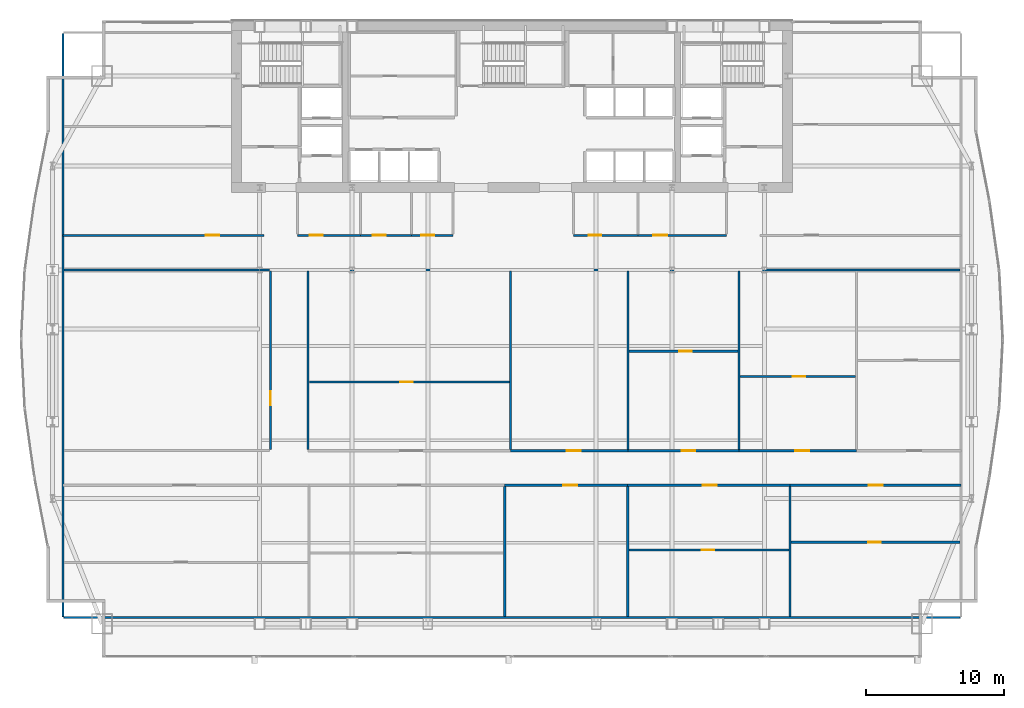
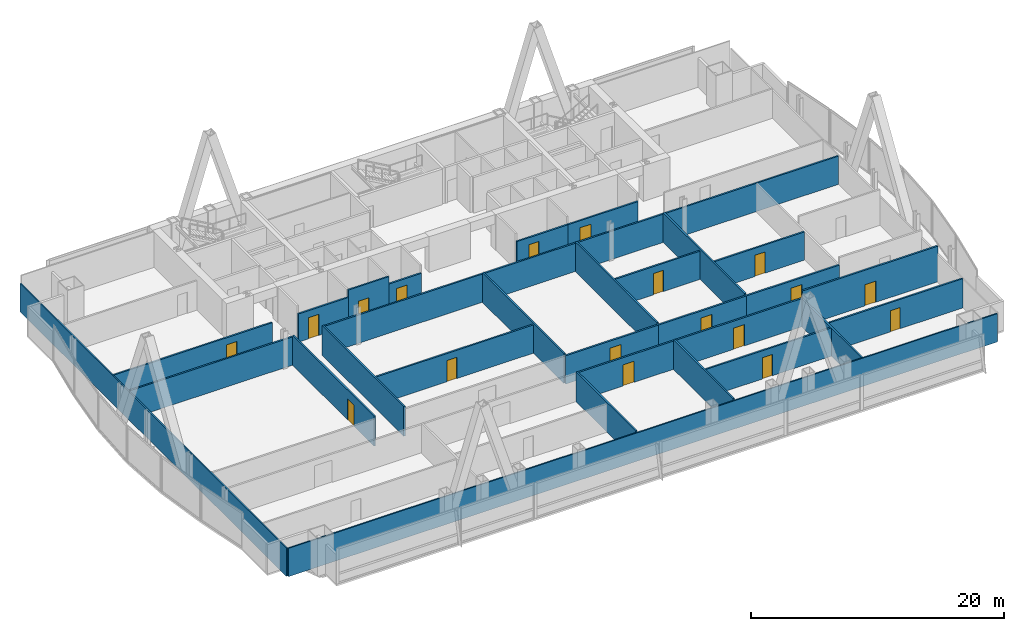
# One storey, part 27 of 33: 29 walls, 18 doors, 18 openings.
"""IFC4 building model written with IfcOpenShell, lengths in metres."""

from ifc_helpers import new_model, si_unit, direction, frame, frame_2d, origin, place, context, subcontext, project, spatial, rectangle, extrude, material, layer, layer_set, type_object, element, fill, save


model = new_model("IFC4")

# Units and contexts
model_context = context("Model", 3, precision=1e-05, world=origin(), true_north=direction((0.0, 1.0)))
body_context = subcontext(model_context, "Body", "Model", "MODEL_VIEW")
ifc_project = project(units=[si_unit("LENGTHUNIT", "METRE"), si_unit("AREAUNIT", "SQUARE_METRE"), si_unit("VOLUMEUNIT", "CUBIC_METRE"), si_unit("PLANEANGLEUNIT", "RADIAN"), si_unit("MASSUNIT", "GRAM", prefix="KILO")], contexts=[model_context])

# Site, building, storey
site_placement = place(None, origin())
site = spatial("IfcSite", under=ifc_project, at=site_placement, CompositionType="ELEMENT")
building_placement = place(site_placement, origin())
building = spatial("IfcBuilding", under=site, at=building_placement, Name="Khoronbel Lancet Exchange", CompositionType="ELEMENT")
storey_placement = place(building_placement, frame((0.0, 0.0, 118.199951171875)))
storey = spatial("IfcBuildingStorey", under=building, at=storey_placement, Name="L28", CompositionType="ELEMENT", Elevation=118.199951171875)

# Wall, opening, door
ifc_material_1 = material(Name="Acoustic Metal-Stud & Mineral-Wool Gypsum Partition 120 mm", Category="gypsum")
ifc_layer_1 = layer(ifc_material_1, 0.1201171875, Name="Acoustic Metal-Stud & Mineral-Wool Gypsum Partition 120 mm")
ifc_layer_set_1 = layer_set([ifc_layer_1], Name="Acoustic Metal-Stud & Mineral-Wool Gypsum Partition 120 mm")
wall_type_1 = type_object("IfcWallType", Name="WL-PRT120", PredefinedType="PARTITIONING", material=ifc_layer_set_1)
wall_1_placement = place(storey_placement, frame((44.88671875, 15.4716796875, 0.0), z_axis=(0.0, 0.0, 1.0), x_axis=(1.0, 0.0, 0.0)))
wall_1 = element("IfcWall", 1, at=wall_1_placement, inside=storey, type_object=wall_type_1, Name="Level L28 interior partition PW-Z2S-H4", PredefinedType="PARTITIONING", context=body_context, shape_type="SweptSolid", body=[
    extrude(rectangle(XDim=11.56640625, YDim=0.14990234375, at=frame_2d((5.783203125, 0.0))), origin(), (0.0, 0.0, 1.0), 2.72998046875),
])
opening_1_placement = place(wall_1_placement, frame((5.27685546875, 0.0, 0.0)))
opening_1 = element("IfcOpeningElement", 2, at=opening_1_placement, cuts=wall_1, Name="Opening D5", PredefinedType="OPENING", context=body_context, shape_type="SweptSolid", body=[
    extrude(rectangle(XDim=0.89990234375, YDim=2.050048828125, at=frame_2d((0.449951171875, 1.02490234375))), frame((0.0, 0.0849609375, 0.0), z_axis=(0.0, -1.0, 0.0), x_axis=(1.0, 0.0, 0.0)), (0.0, 0.0, 1.0), 0.169921875),
])
ifc_material_2 = material(Name="Acoustic Timber Pantry & Support Door", Category="wood")
door_type_1 = type_object("IfcDoorType", Name="DR-D5", OperationType="NOTDEFINED", PredefinedType="DOOR", material=ifc_material_2)
door_1_placement = place(opening_1_placement, origin())
door_1 = element("IfcDoor", 3, at=door_1_placement, inside=storey, type_object=door_type_1, Name="Z2S inner door 4 L28-1", OperationType="SINGLE_SWING_LEFT", OverallHeight=2.050048828125, OverallWidth=0.89990234375, PredefinedType="DOOR", context=body_context, shape_type="SweptSolid", body=[
    extrude(rectangle(XDim=0.89990234375, YDim=2.050048828125, at=frame_2d((0.449951171875, 1.02490234375))), frame((0.0, 0.02490234375, 0.0), z_axis=(0.0, -1.0, 0.0), x_axis=(1.0, 0.0, 0.0)), (0.0, 0.0, 1.0), 0.050048828125),
])
fill(opening_1, door_1)

wall_2_placement = place(storey_placement, frame((56.613037109375, 16.03369140625, 0.0), z_axis=(0.0, 0.0, 1.0), x_axis=(1.0, 0.0, 0.0)))
wall_2 = element("IfcWall", 4, at=wall_2_placement, inside=storey, type_object=wall_type_1, Name="Level L28 interior partition PW-Z2S-H5", PredefinedType="PARTITIONING", context=body_context, shape_type="SweptSolid", body=[
    extrude(rectangle(XDim=12.19189453125, YDim=0.14990234375, at=frame_2d((6.095947265625, 0.0))), origin(), (0.0, 0.0, 1.0), 2.830078125),
])
opening_2_placement = place(wall_2_placement, frame((5.551513671875, 0.0, 0.0)))
opening_2 = element("IfcOpeningElement", 5, at=opening_2_placement, cuts=wall_2, Name="Opening D5", PredefinedType="OPENING", context=body_context, shape_type="SweptSolid", body=[
    extrude(rectangle(XDim=0.89990234375, YDim=2.050048828125, at=frame_2d((0.449951171875, 1.02490234375))), frame((0.0, 0.0849609375, 0.0), z_axis=(0.0, -1.0, 0.0), x_axis=(1.0, 0.0, 0.0)), (0.0, 0.0, 1.0), 0.169921875),
])
door_2_placement = place(opening_2_placement, origin())
door_2 = element("IfcDoor", 6, at=door_2_placement, inside=storey, type_object=door_type_1, Name="Z2S inner door 5 L28-1", OperationType="SINGLE_SWING_LEFT", OverallHeight=2.050048828125, OverallWidth=0.89990234375, PredefinedType="DOOR", context=body_context, shape_type="SweptSolid", body=[
    extrude(rectangle(XDim=0.89990234375, YDim=2.050048828125, at=frame_2d((0.449951171875, 1.02490234375))), frame((0.0, 0.02490234375, 0.0), z_axis=(0.0, -1.0, 0.0), x_axis=(1.0, 0.0, 0.0)), (0.0, 0.0, 1.0), 0.050048828125),
])
fill(opening_2, door_2)

wall_3_placement = place(storey_placement, frame((21.81005859375, 27.60888671875, 0.0), z_axis=(0.0, 0.0, 1.0), x_axis=(1.0, 0.0, 0.0)))
wall_3 = element("IfcWall", 7, at=wall_3_placement, inside=storey, type_object=wall_type_1, Name="Level L28 interior partition PW-Z2N-H1", PredefinedType="PARTITIONING", context=body_context, shape_type="SweptSolid", body=[
    extrude(rectangle(XDim=14.453369140625, YDim=0.14990234375, at=frame_2d((7.2265625, 0.0))), origin(), (0.0, 0.0, 1.0), 2.72998046875),
])
opening_3_placement = place(wall_3_placement, frame((6.575927734375, 0.0, 0.0)))
opening_3 = element("IfcOpeningElement", 8, at=opening_3_placement, cuts=wall_3, Name="Opening D5", PredefinedType="OPENING", context=body_context, shape_type="SweptSolid", body=[
    extrude(rectangle(XDim=0.89990234375, YDim=2.050048828125, at=frame_2d((0.449951171875, 1.02490234375))), frame((0.0, 0.0849609375, 0.0), z_axis=(0.0, -1.0, 0.0), x_axis=(1.0, 0.0, 0.0)), (0.0, 0.0, 1.0), 0.169921875),
])
door_3_placement = place(opening_3_placement, origin())
door_3 = element("IfcDoor", 9, at=door_3_placement, inside=storey, type_object=door_type_1, Name="Z2N inner door 1 L28-1", OperationType="SINGLE_SWING_LEFT", OverallHeight=2.050048828125, OverallWidth=0.89990234375, PredefinedType="DOOR", context=body_context, shape_type="SweptSolid", body=[
    extrude(rectangle(XDim=0.89990234375, YDim=2.050048828125, at=frame_2d((0.449951171875, 1.02490234375))), frame((0.0, 0.02490234375, 0.0), z_axis=(0.0, -1.0, 0.0), x_axis=(1.0, 0.0, 0.0)), (0.0, 0.0, 1.0), 0.050048828125),
])
fill(opening_3, door_3)

wall_4_placement = place(storey_placement, frame((44.90869140625, 29.827392578125, 0.0), z_axis=(0.0, 0.0, 1.0), x_axis=(1.0, 0.0, 0.0)))
wall_4 = element("IfcWall", 10, at=wall_4_placement, inside=storey, type_object=wall_type_1, Name="Level L28 interior partition PW-Z2N-H3", PredefinedType="PARTITIONING", context=body_context, shape_type="SweptSolid", body=[
    extrude(rectangle(XDim=7.853759765625, YDim=0.14990234375, at=frame_2d((3.9267578125, 0.0))), origin(), (0.0, 0.0, 1.0), 2.72998046875),
])
opening_4_placement = place(wall_4_placement, frame((3.606201171875, 0.0, 0.0)))
opening_4 = element("IfcOpeningElement", 11, at=opening_4_placement, cuts=wall_4, Name="Opening D5", PredefinedType="OPENING", context=body_context, shape_type="SweptSolid", body=[
    extrude(rectangle(XDim=0.89990234375, YDim=2.050048828125, at=frame_2d((0.449951171875, 1.02490234375))), frame((0.0, 0.0849609375, 0.0), z_axis=(0.0, -1.0, 0.0), x_axis=(1.0, 0.0, 0.0)), (0.0, 0.0, 1.0), 0.169921875),
])
door_4_placement = place(opening_4_placement, origin())
door_4 = element("IfcDoor", 12, at=door_4_placement, inside=storey, type_object=door_type_1, Name="Z2N inner door 3 L28-1", OperationType="SINGLE_SWING_RIGHT", OverallHeight=2.050048828125, OverallWidth=0.89990234375, PredefinedType="DOOR", context=body_context, shape_type="SweptSolid", body=[
    extrude(rectangle(XDim=0.89990234375, YDim=2.050048828125, at=frame_2d((0.449951171875, 1.02490234375))), frame((0.0, 0.02490234375, 0.0), z_axis=(0.0, -1.0, 0.0), x_axis=(1.0, 0.0, 0.0)), (0.0, 0.0, 1.0), 0.050048828125),
])
fill(opening_4, door_4)

wall_5_placement = place(storey_placement, frame((52.92236328125, 28.00048828125, 0.0), z_axis=(0.0, 0.0, 1.0), x_axis=(1.0, 0.0, 0.0)))
wall_5 = element("IfcWall", 13, at=wall_5_placement, inside=storey, type_object=wall_type_1, Name="Level L28 interior partition PW-Z2N-H4", PredefinedType="PARTITIONING", context=body_context, shape_type="SweptSolid", body=[
    extrude(rectangle(XDim=8.3251953125, YDim=0.14990234375, at=frame_2d((4.16259765625, 0.0))), origin(), (0.0, 0.0, 1.0), 2.72998046875),
])
opening_5_placement = place(wall_5_placement, frame((3.818359375, 0.0, 0.0)))
opening_5 = element("IfcOpeningElement", 14, at=opening_5_placement, cuts=wall_5, Name="Opening D5", PredefinedType="OPENING", context=body_context, shape_type="SweptSolid", body=[
    extrude(rectangle(XDim=0.89990234375, YDim=2.050048828125, at=frame_2d((0.449951171875, 1.02490234375))), frame((0.0, 0.0849609375, 0.0), z_axis=(0.0, -1.0, 0.0), x_axis=(1.0, 0.0, 0.0)), (0.0, 0.0, 1.0), 0.169921875),
])
door_5_placement = place(opening_5_placement, origin())
door_5 = element("IfcDoor", 15, at=door_5_placement, inside=storey, type_object=door_type_1, Name="Z2N inner door 4 L28-1", OperationType="SINGLE_SWING_RIGHT", OverallHeight=2.050048828125, OverallWidth=0.89990234375, PredefinedType="DOOR", context=body_context, shape_type="SweptSolid", body=[
    extrude(rectangle(XDim=0.89990234375, YDim=2.050048828125, at=frame_2d((0.449951171875, 1.02490234375))), frame((0.0, 0.02490234375, 0.0), z_axis=(0.0, -1.0, 0.0), x_axis=(1.0, 0.0, 0.0)), (0.0, 0.0, 1.0), 0.050048828125),
])
fill(opening_5, door_5)

# Walls
wall_6_placement = place(storey_placement, frame((4.030029296875, 10.6650390625, 0.0), z_axis=(0.0, 0.0, 1.0), x_axis=(0.0, 1.0, 0.0)))
element("IfcWall", 16, at=wall_6_placement, inside=storey, type_object=wall_type_1, Name="Level L28 interior partition PW-LIN-W", PredefinedType="PARTITIONING", context=body_context, shape_type="SweptSolid", body=[
    extrude(rectangle(XDim=42.10986328125, YDim=0.1201171875, at=frame_2d((21.054931640625, 0.0))), origin(), (0.0, 0.0, 1.0), 2.72998046875),
])
wall_7_placement = place(storey_placement, frame((4.094970703125, 10.60009765625, 0.0), z_axis=(0.0, 0.0, 1.0), x_axis=(1.0, 0.0, 0.0)))
element("IfcWall", 17, at=wall_7_placement, inside=storey, type_object=wall_type_1, Name="Level L28 interior partition PW-LIN-S", PredefinedType="PARTITIONING", context=body_context, shape_type="SweptSolid", body=[
    extrude(rectangle(XDim=64.7099609375, YDim=0.1201171875, at=frame_2d((32.35498046875, 0.0))), origin(), (0.0, 0.0, 1.0), 2.72998046875),
])

# Wall, opening, door
ifc_material_3 = material(Name="Fire-Rated Twin-Stud Acoustic Gypsum Partition 150 mm", Category="gypsum")
ifc_layer_2 = layer(ifc_material_3, 0.14990234375, Name="Fire-Rated Twin-Stud Acoustic Gypsum Partition 150 mm")
ifc_layer_set_2 = layer_set([ifc_layer_2], Name="Fire-Rated Twin-Stud Acoustic Gypsum Partition 150 mm")
wall_type_2 = type_object("IfcWallType", Name="WL-PRT150C", PredefinedType="PARTITIONING", material=ifc_layer_set_2)
wall_8_placement = place(storey_placement, frame((20.949951171875, 38.199951171875, 0.0), z_axis=(0.0, 0.0, 1.0), x_axis=(1.0, 0.0, 0.0)))
wall_8 = element("IfcWall", 18, at=wall_8_placement, inside=storey, type_object=wall_type_2, Name="Level L28 interior partition PW-WC-S1", PredefinedType="PARTITIONING", context=body_context, shape_type="SweptSolid", body=[
    extrude(rectangle(XDim=4.550048828125, YDim=0.14990234375, at=frame_2d((2.27490234375, 0.0))), origin(), (0.0, 0.0, 1.0), 2.72998046875),
])
opening_6_placement = place(wall_8_placement, frame((0.89990234375, 0.0, 0.0)))
opening_6 = element("IfcOpeningElement", 19, at=opening_6_placement, cuts=wall_8, Name="Opening D4", PredefinedType="OPENING", context=body_context, shape_type="SweptSolid", body=[
    extrude(rectangle(XDim=0.949951171875, YDim=2.050048828125, at=frame_2d((0.47509765625, 1.02490234375))), frame((0.0, 0.0849609375, 0.0), z_axis=(0.0, -1.0, 0.0), x_axis=(1.0, 0.0, 0.0)), (0.0, 0.0, 1.0), 0.169921875),
])
ifc_material_4 = material(Name="Moisture-Resistant HPL Washroom Door", Category="wood")
door_type_2 = type_object("IfcDoorType", Name="DR-D4", OperationType="NOTDEFINED", PredefinedType="DOOR", material=ifc_material_4)
door_6_placement = place(opening_6_placement, origin())
door_6 = element("IfcDoor", 20, at=door_6_placement, inside=storey, type_object=door_type_2, Name="Male washroom door L28-1", OperationType="SINGLE_SWING_RIGHT", OverallHeight=2.050048828125, OverallWidth=0.949951171875, PredefinedType="DOOR", context=body_context, shape_type="SweptSolid", body=[
    extrude(rectangle(XDim=0.949951171875, YDim=2.050048828125, at=frame_2d((0.47509765625, 1.02490234375))), frame((0.0, 0.02490234375, 0.0), z_axis=(0.0, -1.0, 0.0), x_axis=(1.0, 0.0, 0.0)), (0.0, 0.0, 1.0), 0.050048828125),
])
fill(opening_6, door_6)

wall_9_placement = place(storey_placement, frame((25.5, 38.199951171875, 0.0), z_axis=(0.0, 0.0, 1.0), x_axis=(1.0, 0.0, 0.0)))
wall_9 = element("IfcWall", 21, at=wall_9_placement, inside=storey, type_object=wall_type_2, Name="Level L28 interior partition PW-WC-S2", PredefinedType="PARTITIONING", context=body_context, shape_type="SweptSolid", body=[
    extrude(rectangle(XDim=3.699951171875, YDim=0.14990234375, at=frame_2d((1.85009765625, 0.0))), origin(), (0.0, 0.0, 1.0), 3.43994140625),
])
opening_7_placement = place(wall_9_placement, frame((0.89990234375, 0.0, 0.0)))
opening_7 = element("IfcOpeningElement", 22, at=opening_7_placement, cuts=wall_9, Name="Opening D4", PredefinedType="OPENING", context=body_context, shape_type="SweptSolid", body=[
    extrude(rectangle(XDim=0.949951171875, YDim=2.050048828125, at=frame_2d((0.47509765625, 1.02490234375))), frame((0.0, 0.0849609375, 0.0), z_axis=(0.0, -1.0, 0.0), x_axis=(1.0, 0.0, 0.0)), (0.0, 0.0, 1.0), 0.169921875),
])
door_7_placement = place(opening_7_placement, origin())
door_7 = element("IfcDoor", 23, at=door_7_placement, inside=storey, type_object=door_type_2, Name="Female washroom door L28-1", OperationType="SINGLE_SWING_LEFT", OverallHeight=2.050048828125, OverallWidth=0.949951171875, PredefinedType="DOOR", context=body_context, shape_type="SweptSolid", body=[
    extrude(rectangle(XDim=0.949951171875, YDim=2.050048828125, at=frame_2d((0.47509765625, 1.02490234375))), frame((0.0, 0.02490234375, 0.0), z_axis=(0.0, -1.0, 0.0), x_axis=(1.0, 0.0, 0.0)), (0.0, 0.0, 1.0), 0.050048828125),
])
fill(opening_7, door_7)

wall_10_placement = place(storey_placement, frame((29.199951171875, 38.199951171875, 0.0), z_axis=(0.0, 0.0, 1.0), x_axis=(1.0, 0.0, 0.0)))
wall_10 = element("IfcWall", 24, at=wall_10_placement, inside=storey, type_object=wall_type_2, Name="Level L28 interior partition PW-WC-S3", PredefinedType="PARTITIONING", context=body_context, shape_type="SweptSolid", body=[
    extrude(rectangle(XDim=2.97998046875, YDim=0.14990234375, at=frame_2d((1.489990234375, 0.0))), origin(), (0.0, 0.0, 1.0), 2.72998046875),
])
opening_8_placement = place(wall_10_placement, frame((0.699951171875, 0.0, 0.0)))
opening_8 = element("IfcOpeningElement", 25, at=opening_8_placement, cuts=wall_10, Name="Opening D4", PredefinedType="OPENING", context=body_context, shape_type="SweptSolid", body=[
    extrude(rectangle(XDim=0.949951171875, YDim=2.050048828125, at=frame_2d((0.47509765625, 1.02490234375))), frame((0.0, 0.0849609375, 0.0), z_axis=(0.0, -1.0, 0.0), x_axis=(1.0, 0.0, 0.0)), (0.0, 0.0, 1.0), 0.169921875),
])
door_8_placement = place(opening_8_placement, origin())
door_8 = element("IfcDoor", 26, at=door_8_placement, inside=storey, type_object=door_type_2, Name="Accessible WC door L28-1", OperationType="SINGLE_SWING_RIGHT", OverallHeight=2.050048828125, OverallWidth=0.949951171875, PredefinedType="DOOR", context=body_context, shape_type="SweptSolid", body=[
    extrude(rectangle(XDim=0.949951171875, YDim=2.050048828125, at=frame_2d((0.47509765625, 1.02490234375))), frame((0.0, 0.02490234375, 0.0), z_axis=(0.0, -1.0, 0.0), x_axis=(1.0, 0.0, 0.0)), (0.0, 0.0, 1.0), 0.050048828125),
])
fill(opening_8, door_8)

wall_11_placement = place(storey_placement, frame((40.8798828125, 38.199951171875, 0.0), z_axis=(0.0, 0.0, 1.0), x_axis=(1.0, 0.0, 0.0)))
wall_11 = element("IfcWall", 27, at=wall_11_placement, inside=storey, type_object=wall_type_2, Name="Level L28 interior partition PW-NP-S1", PredefinedType="PARTITIONING", context=body_context, shape_type="SweptSolid", body=[
    extrude(rectangle(XDim=4.670166015625, YDim=0.14990234375, at=frame_2d((2.3349609375, 0.0))), origin(), (0.0, 0.0, 1.0), 2.72998046875),
])
opening_9_placement = place(wall_11_placement, frame((1.10009765625, 0.0, 0.0)))
opening_9 = element("IfcOpeningElement", 28, at=opening_9_placement, cuts=wall_11, Name="Opening D5", PredefinedType="OPENING", context=body_context, shape_type="SweptSolid", body=[
    extrude(rectangle(XDim=0.89990234375, YDim=2.050048828125, at=frame_2d((0.449951171875, 1.02490234375))), frame((0.0, 0.0849609375, 0.0), z_axis=(0.0, -1.0, 0.0), x_axis=(1.0, 0.0, 0.0)), (0.0, 0.0, 1.0), 0.169921875),
])
door_9_placement = place(opening_9_placement, origin())
door_9 = element("IfcDoor", 29, at=door_9_placement, inside=storey, type_object=door_type_1, Name="Floor refreshment pantry door L28-1", OperationType="SINGLE_SWING_LEFT", OverallHeight=2.050048828125, OverallWidth=0.89990234375, PredefinedType="DOOR", context=body_context, shape_type="SweptSolid", body=[
    extrude(rectangle(XDim=0.89990234375, YDim=2.050048828125, at=frame_2d((0.449951171875, 1.02490234375))), frame((0.0, 0.02490234375, 0.0), z_axis=(0.0, -1.0, 0.0), x_axis=(1.0, 0.0, 0.0)), (0.0, 0.0, 1.0), 0.050048828125),
])
fill(opening_9, door_9)

wall_12_placement = place(storey_placement, frame((45.550048828125, 38.199951171875, 0.0), z_axis=(0.0, 0.0, 1.0), x_axis=(1.0, 0.0, 0.0)))
wall_12 = element("IfcWall", 30, at=wall_12_placement, inside=storey, type_object=wall_type_2, Name="Level L28 interior partition PW-NP-S2", PredefinedType="PARTITIONING", context=body_context, shape_type="SweptSolid", body=[
    extrude(rectangle(XDim=6.39990234375, YDim=0.14990234375, at=frame_2d((3.199951171875, 0.0))), origin(), (0.0, 0.0, 1.0), 2.72998046875),
])
opening_10_placement = place(wall_12_placement, frame((1.10009765625, 0.0, 0.0)))
opening_10 = element("IfcOpeningElement", 31, at=opening_10_placement, cuts=wall_12, Name="Opening D2", PredefinedType="OPENING", context=body_context, shape_type="SweptSolid", body=[
    extrude(rectangle(XDim=1.0, YDim=2.050048828125, at=frame_2d((0.5, 1.02490234375))), frame((0.0, 0.0849609375, 0.0), z_axis=(0.0, -1.0, 0.0), x_axis=(1.0, 0.0, 0.0)), (0.0, 0.0, 1.0), 0.169921875),
])
ifc_material_5 = material(Name="Acoustic Veneered Timber & Bronze Frame Door", Category="wood")
door_type_3 = type_object("IfcDoorType", Name="DR-D2", OperationType="NOTDEFINED", PredefinedType="DOOR", material=ifc_material_5)
door_10_placement = place(opening_10_placement, origin())
door_10 = element("IfcDoor", 32, at=door_10_placement, inside=storey, type_object=door_type_3, Name="Floor store door L28-1", OperationType="SINGLE_SWING_RIGHT", OverallHeight=2.050048828125, OverallWidth=1.0, PredefinedType="DOOR", context=body_context, shape_type="SweptSolid", body=[
    extrude(rectangle(XDim=1.0, YDim=2.050048828125, at=frame_2d((0.5, 1.02490234375))), frame((0.0, 0.02490234375, 0.0), z_axis=(0.0, -1.0, 0.0), x_axis=(1.0, 0.0, 0.0)), (0.0, 0.0, 1.0), 0.050048828125),
])
fill(opening_10, door_10)

wall_13_placement = place(storey_placement, frame((4.030029296875, 38.199951171875, 0.0), z_axis=(0.0, 0.0, 1.0), x_axis=(1.0, 0.0, 0.0)))
wall_13 = element("IfcWall", 33, at=wall_13_placement, inside=storey, type_object=wall_type_2, Name="Level L28 interior partition PW-NW-S", PredefinedType="PARTITIONING", context=body_context, shape_type="SweptSolid", body=[
    extrude(rectangle(XDim=14.52001953125, YDim=0.14990234375, at=frame_2d((7.260009765625, 0.0))), origin(), (0.0, 0.0, 1.0), 2.72998046875),
])
opening_11_placement = place(wall_13_placement, frame((10.320068359375, 0.0, 0.0)))
opening_11 = element("IfcOpeningElement", 34, at=opening_11_placement, cuts=wall_13, Name="Opening D1", PredefinedType="OPENING", context=body_context, shape_type="SweptSolid", body=[
    extrude(rectangle(XDim=0.949951171875, YDim=2.050048828125, at=frame_2d((0.47509765625, 1.02490234375))), frame((0.0, 0.0849609375, 0.0), z_axis=(0.0, -1.0, 0.0), x_axis=(1.0, 0.0, 0.0)), (0.0, 0.0, 1.0), 0.169921875),
])
door_type_4 = type_object("IfcDoorType", Name="DR-D1", OperationType="NOTDEFINED", PredefinedType="DOOR", material=ifc_material_5)
door_11_placement = place(opening_11_placement, origin())
door_11 = element("IfcDoor", 35, at=door_11_placement, inside=storey, type_object=door_type_4, Name="NW corner room door L28-1", OperationType="SINGLE_SWING_LEFT", OverallHeight=2.050048828125, OverallWidth=0.949951171875, PredefinedType="DOOR", context=body_context, shape_type="SweptSolid", body=[
    extrude(rectangle(XDim=0.949951171875, YDim=2.050048828125, at=frame_2d((0.47509765625, 1.02490234375))), frame((0.0, 0.02490234375, 0.0), z_axis=(0.0, -1.0, 0.0), x_axis=(1.0, 0.0, 0.0)), (0.0, 0.0, 1.0), 0.050048828125),
])
fill(opening_11, door_11)

# Walls
for number, where, z_axis, x_axis, name in (
    (36, (35.924072265625, 10.6650390625, 0.0), (0.0, 0.0, 1.0), (0.0, 1.0, 0.0), "Level L28 interior partition PW-Z2S-V2"),
    (37, (44.806640625, 10.6650390625, 0.0), (0.0, 0.0, 1.0), (0.0, 1.0, 0.0), "Level L28 interior partition PW-Z2S-V3"),
):
    element("IfcWall", number, at=place(storey_placement, frame(where, z_axis=z_axis, x_axis=x_axis)), inside=storey, type_object=wall_type_2, Name=name, PredefinedType="PARTITIONING", context=body_context, shape_type="SweptSolid", body=[
        extrude(rectangle(XDim=9.39990234375, YDim=0.14990234375, at=frame_2d((4.699951171875, 0.0))), origin(), (0.0, 0.0, 1.0), 2.880126953125),
    ])
wall_14_placement = place(storey_placement, frame((56.533203125, 10.6650390625, 0.0), z_axis=(0.0, 0.0, 1.0), x_axis=(0.0, 1.0, 0.0)))
element("IfcWall", 38, at=wall_14_placement, inside=storey, type_object=wall_type_2, Name="Level L28 interior partition PW-Z2S-V4", PredefinedType="PARTITIONING", context=body_context, shape_type="SweptSolid", body=[
    extrude(rectangle(XDim=9.39990234375, YDim=0.14990234375, at=frame_2d((4.699951171875, 0.0))), origin(), (0.0, 0.0, 1.0), 2.72998046875),
])

# Wall, opening, door
wall_15_placement = place(storey_placement, frame((19.02001953125, 22.72998046875, 0.0), z_axis=(0.0, 0.0, 1.0), x_axis=(0.0, 1.0, 0.0)))
wall_15 = element("IfcWall", 39, at=wall_15_placement, inside=storey, type_object=wall_type_2, Name="Level L28 interior partition PW-Z2-WLK", PredefinedType="PARTITIONING", context=body_context, shape_type="SweptSolid", body=[
    extrude(rectangle(XDim=12.89013671875, YDim=0.14990234375, at=frame_2d((6.445068359375, 0.0))), origin(), (0.0, 0.0, 1.0), 2.880126953125),
])
opening_12_placement = place(wall_15_placement, frame((3.199951171875, 0.0, 0.0)))
opening_12 = element("IfcOpeningElement", 40, at=opening_12_placement, cuts=wall_15, Name="Opening D2", PredefinedType="OPENING", context=body_context, shape_type="SweptSolid", body=[
    extrude(rectangle(XDim=1.0, YDim=2.050048828125, at=frame_2d((0.5, 1.02490234375))), frame((0.0, 0.0849609375, 0.0), z_axis=(0.0, -1.0, 0.0), x_axis=(1.0, 0.0, 0.0)), (0.0, 0.0, 1.0), 0.169921875),
])
door_12_placement = place(opening_12_placement, origin())
door_12 = element("IfcDoor", 41, at=door_12_placement, inside=storey, type_object=door_type_3, Name="West mid-band room door L28-1", OperationType="SINGLE_SWING_RIGHT", OverallHeight=2.050048828125, OverallWidth=1.0, PredefinedType="DOOR", context=body_context, shape_type="SweptSolid", body=[
    extrude(rectangle(XDim=1.0, YDim=2.050048828125, at=frame_2d((0.5, 1.02490234375))), frame((0.0, 0.02490234375, 0.0), z_axis=(0.0, -1.0, 0.0), x_axis=(1.0, 0.0, 0.0)), (0.0, 0.0, 1.0), 0.050048828125),
])
fill(opening_12, door_12)

# Walls
wall_16_placement = place(storey_placement, frame((4.094970703125, 35.699951171875, 0.0), z_axis=(0.0, 0.0, 1.0), x_axis=(1.0, 0.0, 0.0)))
element("IfcWall", 42, at=wall_16_placement, inside=storey, type_object=wall_type_2, Name="Level L28 interior partition PW-Z2-WN", PredefinedType="PARTITIONING", context=body_context, shape_type="SweptSolid", body=[
    extrude(rectangle(XDim=14.844970703125, YDim=0.14990234375, at=frame_2d((7.42236328125, 0.0))), origin(), (0.0, 0.0, 1.0), 2.72998046875),
])
wall_17_placement = place(storey_placement, frame((21.72998046875, 22.735107421875, 0.0), z_axis=(0.0, 0.0, 1.0), x_axis=(0.0, 1.0, 0.0)))
element("IfcWall", 43, at=wall_17_placement, inside=storey, type_object=wall_type_2, Name="Level L28 interior partition PW-Z2-ELK", PredefinedType="PARTITIONING", context=body_context, shape_type="SweptSolid", body=[
    extrude(rectangle(XDim=12.885009765625, YDim=0.14990234375, at=frame_2d((6.4423828125, 0.0))), origin(), (0.0, 0.0, 1.0), 2.880126953125),
])
wall_18_placement = place(storey_placement, frame((21.81005859375, 35.699951171875, 0.0), z_axis=(0.0, 0.0, 1.0), x_axis=(1.0, 0.0, 0.0)))
element("IfcWall", 44, at=wall_18_placement, inside=storey, type_object=wall_type_2, Name="Level L28 interior partition PW-Z2-EN", PredefinedType="PARTITIONING", context=body_context, shape_type="SweptSolid", body=[
    extrude(rectangle(XDim=46.994873046875, YDim=0.14990234375, at=frame_2d((23.49755859375, 0.0))), origin(), (0.0, 0.0, 1.0), 2.72998046875),
])
for number, where, z_axis, x_axis, name in (
    (45, (36.343505859375, 22.735107421875, 0.0), (0.0, 0.0, 1.0), (0.0, 1.0, 0.0), "Level L28 interior partition PW-Z2N-V1"),
    (46, (44.82861328125, 22.735107421875, 0.0), (0.0, 0.0, 1.0), (0.0, 1.0, 0.0), "Level L28 interior partition PW-Z2N-V2"),
    (47, (52.84228515625, 22.735107421875, 0.0), (0.0, 0.0, 1.0), (0.0, 1.0, 0.0), "Level L28 interior partition PW-Z2N-V3"),
):
    element("IfcWall", number, at=place(storey_placement, frame(where, z_axis=z_axis, x_axis=x_axis)), inside=storey, type_object=wall_type_2, Name=name, PredefinedType="PARTITIONING", context=body_context, shape_type="SweptSolid", body=[
        extrude(rectangle(XDim=12.885009765625, YDim=0.14990234375, at=frame_2d((6.4423828125, 0.0))), origin(), (0.0, 0.0, 1.0), 2.880126953125),
    ])

# Wall, opening, door
ifc_material_6 = material(Name="Fire-Rated Twin-Stud Acoustic Gypsum Partition 160 mm", Category="gypsum")
ifc_layer_3 = layer(ifc_material_6, 0.159912109375, Name="Fire-Rated Twin-Stud Acoustic Gypsum Partition 160 mm")
ifc_layer_set_3 = layer_set([ifc_layer_3], Name="Fire-Rated Twin-Stud Acoustic Gypsum Partition 160 mm")
wall_type_3 = type_object("IfcWallType", Name="WL-PRT160C", PredefinedType="PARTITIONING", material=ifc_layer_set_3)
wall_19_placement = place(storey_placement, frame((35.924072265625, 20.14990234375, 0.0), z_axis=(0.0, 0.0, 1.0), x_axis=(1.0, 0.0, 0.0)))
wall_19 = element("IfcWall", 48, at=wall_19_placement, inside=storey, type_object=wall_type_3, Name="Level L28 interior partition PW-Z2S-COR3", PredefinedType="PARTITIONING", context=body_context, shape_type="SweptSolid", body=[
    extrude(rectangle(XDim=8.882568359375, YDim=0.159912109375, at=frame_2d((4.44140625, 0.0))), origin(), (0.0, 0.0, 1.0), 2.72998046875),
])
opening_13_placement = place(wall_19_placement, frame((4.230712890625, 0.0, 0.0)))
opening_13 = element("IfcOpeningElement", 49, at=opening_13_placement, cuts=wall_19, Name="Opening D2", PredefinedType="OPENING", context=body_context, shape_type="SweptSolid", body=[
    extrude(rectangle(XDim=1.0, YDim=2.050048828125, at=frame_2d((0.5, 1.02490234375))), frame((0.0, 0.08984375, 0.0), z_axis=(0.0, -1.0, 0.0), x_axis=(1.0, 0.0, 0.0)), (0.0, 0.0, 1.0), 0.179931640625),
])
door_13_placement = place(opening_13_placement, origin())
door_13 = element("IfcDoor", 50, at=door_13_placement, inside=storey, type_object=door_type_3, Name="Z2S bay 3 door L28-1", OperationType="SINGLE_SWING_LEFT", OverallHeight=2.050048828125, OverallWidth=1.0, PredefinedType="DOOR", context=body_context, shape_type="SweptSolid", body=[
    extrude(rectangle(XDim=1.0, YDim=2.050048828125, at=frame_2d((0.5, 1.02490234375))), frame((0.0, 0.02490234375, 0.0), z_axis=(0.0, -1.0, 0.0), x_axis=(1.0, 0.0, 0.0)), (0.0, 0.0, 1.0), 0.050048828125),
])
fill(opening_13, door_13)

wall_20_placement = place(storey_placement, frame((44.806640625, 20.14990234375, 0.0), z_axis=(0.0, 0.0, 1.0), x_axis=(1.0, 0.0, 0.0)))
wall_20 = element("IfcWall", 51, at=wall_20_placement, inside=storey, type_object=wall_type_3, Name="Level L28 interior partition PW-Z2S-COR4", PredefinedType="PARTITIONING", context=body_context, shape_type="SweptSolid", body=[
    extrude(rectangle(XDim=11.7265625, YDim=0.159912109375, at=frame_2d((5.86328125, 0.0))), origin(), (0.0, 0.0, 1.0), 2.72998046875),
])
opening_14_placement = place(wall_20_placement, frame((5.425048828125, 0.0, 0.0)))
opening_14 = element("IfcOpeningElement", 52, at=opening_14_placement, cuts=wall_20, Name="Opening D2", PredefinedType="OPENING", context=body_context, shape_type="SweptSolid", body=[
    extrude(rectangle(XDim=1.0, YDim=2.050048828125, at=frame_2d((0.5, 1.02490234375))), frame((0.0, 0.08984375, 0.0), z_axis=(0.0, -1.0, 0.0), x_axis=(1.0, 0.0, 0.0)), (0.0, 0.0, 1.0), 0.179931640625),
])
door_14_placement = place(opening_14_placement, origin())
door_14 = element("IfcDoor", 53, at=door_14_placement, inside=storey, type_object=door_type_3, Name="Z2S bay 4 door L28-1", OperationType="SINGLE_SWING_RIGHT", OverallHeight=2.050048828125, OverallWidth=1.0, PredefinedType="DOOR", context=body_context, shape_type="SweptSolid", body=[
    extrude(rectangle(XDim=1.0, YDim=2.050048828125, at=frame_2d((0.5, 1.02490234375))), frame((0.0, 0.02490234375, 0.0), z_axis=(0.0, -1.0, 0.0), x_axis=(1.0, 0.0, 0.0)), (0.0, 0.0, 1.0), 0.050048828125),
])
fill(opening_14, door_14)

wall_21_placement = place(storey_placement, frame((56.533203125, 20.14990234375, 0.0), z_axis=(0.0, 0.0, 1.0), x_axis=(1.0, 0.0, 0.0)))
wall_21 = element("IfcWall", 54, at=wall_21_placement, inside=storey, type_object=wall_type_3, Name="Level L28 interior partition PW-Z2S-COR5", PredefinedType="PARTITIONING", context=body_context, shape_type="SweptSolid", body=[
    extrude(rectangle(XDim=12.3369140625, YDim=0.159912109375, at=frame_2d((6.16845703125, 0.0))), origin(), (0.0, 0.0, 1.0), 3.43994140625),
])
opening_15_placement = place(wall_21_placement, frame((5.681396484375, 0.0, 0.0)))
opening_15 = element("IfcOpeningElement", 55, at=opening_15_placement, cuts=wall_21, Name="Opening D2", PredefinedType="OPENING", context=body_context, shape_type="SweptSolid", body=[
    extrude(rectangle(XDim=1.0, YDim=2.050048828125, at=frame_2d((0.5, 1.02490234375))), frame((0.0, 0.08984375, 0.0), z_axis=(0.0, -1.0, 0.0), x_axis=(1.0, 0.0, 0.0)), (0.0, 0.0, 1.0), 0.179931640625),
])
door_15_placement = place(opening_15_placement, origin())
door_15 = element("IfcDoor", 56, at=door_15_placement, inside=storey, type_object=door_type_3, Name="Z2S bay 5 door L28-1", OperationType="SINGLE_SWING_RIGHT", OverallHeight=2.050048828125, OverallWidth=1.0, PredefinedType="DOOR", context=body_context, shape_type="SweptSolid", body=[
    extrude(rectangle(XDim=1.0, YDim=2.050048828125, at=frame_2d((0.5, 1.02490234375))), frame((0.0, 0.02490234375, 0.0), z_axis=(0.0, -1.0, 0.0), x_axis=(1.0, 0.0, 0.0)), (0.0, 0.0, 1.0), 0.050048828125),
])
fill(opening_15, door_15)

wall_22_placement = place(storey_placement, frame((36.343505859375, 22.64990234375, 0.0), z_axis=(0.0, 0.0, 1.0), x_axis=(1.0, 0.0, 0.0)))
wall_22 = element("IfcWall", 57, at=wall_22_placement, inside=storey, type_object=wall_type_3, Name="Level L28 interior partition PW-Z2N-COR2", PredefinedType="PARTITIONING", context=body_context, shape_type="SweptSolid", body=[
    extrude(rectangle(XDim=8.485107421875, YDim=0.159912109375, at=frame_2d((4.24267578125, 0.0))), origin(), (0.0, 0.0, 1.0), 2.72998046875),
])
opening_16_placement = place(wall_22_placement, frame((4.063720703125, 0.0, 0.0)))
opening_16 = element("IfcOpeningElement", 58, at=opening_16_placement, cuts=wall_22, Name="Opening D2", PredefinedType="OPENING", context=body_context, shape_type="SweptSolid", body=[
    extrude(rectangle(XDim=1.0, YDim=2.050048828125, at=frame_2d((0.5, 1.02490234375))), frame((0.0, 0.08984375, 0.0), z_axis=(0.0, -1.0, 0.0), x_axis=(1.0, 0.0, 0.0)), (0.0, 0.0, 1.0), 0.179931640625),
])
door_16_placement = place(opening_16_placement, origin())
door_16 = element("IfcDoor", 59, at=door_16_placement, inside=storey, type_object=door_type_3, Name="Z2N bay 2 door L28-1", OperationType="SINGLE_SWING_RIGHT", OverallHeight=2.050048828125, OverallWidth=1.0, PredefinedType="DOOR", context=body_context, shape_type="SweptSolid", body=[
    extrude(rectangle(XDim=1.0, YDim=2.050048828125, at=frame_2d((0.5, 1.02490234375))), frame((0.0, 0.02490234375, 0.0), z_axis=(0.0, -1.0, 0.0), x_axis=(1.0, 0.0, 0.0)), (0.0, 0.0, 1.0), 0.050048828125),
])
fill(opening_16, door_16)

wall_23_placement = place(storey_placement, frame((44.82861328125, 22.64990234375, 0.0), z_axis=(0.0, 0.0, 1.0), x_axis=(1.0, 0.0, 0.0)))
wall_23 = element("IfcWall", 60, at=wall_23_placement, inside=storey, type_object=wall_type_3, Name="Level L28 interior partition PW-Z2N-COR3", PredefinedType="PARTITIONING", context=body_context, shape_type="SweptSolid", body=[
    extrude(rectangle(XDim=8.013671875, YDim=0.159912109375, at=frame_2d((4.0068359375, 0.0))), origin(), (0.0, 0.0, 1.0), 2.72998046875),
])
opening_17_placement = place(wall_23_placement, frame((3.86572265625, 0.0, 0.0)))
opening_17 = element("IfcOpeningElement", 61, at=opening_17_placement, cuts=wall_23, Name="Opening D2", PredefinedType="OPENING", context=body_context, shape_type="SweptSolid", body=[
    extrude(rectangle(XDim=1.0, YDim=2.050048828125, at=frame_2d((0.5, 1.02490234375))), frame((0.0, 0.08984375, 0.0), z_axis=(0.0, -1.0, 0.0), x_axis=(1.0, 0.0, 0.0)), (0.0, 0.0, 1.0), 0.179931640625),
])
door_17_placement = place(opening_17_placement, origin())
door_17 = element("IfcDoor", 62, at=door_17_placement, inside=storey, type_object=door_type_3, Name="Z2N bay 3 door L28-1", OperationType="SINGLE_SWING_LEFT", OverallHeight=2.050048828125, OverallWidth=1.0, PredefinedType="DOOR", context=body_context, shape_type="SweptSolid", body=[
    extrude(rectangle(XDim=1.0, YDim=2.050048828125, at=frame_2d((0.5, 1.02490234375))), frame((0.0, 0.02490234375, 0.0), z_axis=(0.0, -1.0, 0.0), x_axis=(1.0, 0.0, 0.0)), (0.0, 0.0, 1.0), 0.050048828125),
])
fill(opening_17, door_17)

wall_24_placement = place(storey_placement, frame((52.84228515625, 22.64990234375, 0.0), z_axis=(0.0, 0.0, 1.0), x_axis=(1.0, 0.0, 0.0)))
wall_24 = element("IfcWall", 63, at=wall_24_placement, inside=storey, type_object=wall_type_3, Name="Level L28 interior partition PW-Z2N-COR4", PredefinedType="PARTITIONING", context=body_context, shape_type="SweptSolid", body=[
    extrude(rectangle(XDim=8.4853515625, YDim=0.159912109375, at=frame_2d((4.24267578125, 0.0))), origin(), (0.0, 0.0, 1.0), 2.72998046875),
])
opening_18_placement = place(wall_24_placement, frame((4.063720703125, 0.0, 0.0)))
opening_18 = element("IfcOpeningElement", 64, at=opening_18_placement, cuts=wall_24, Name="Opening D2", PredefinedType="OPENING", context=body_context, shape_type="SweptSolid", body=[
    extrude(rectangle(XDim=1.0, YDim=2.050048828125, at=frame_2d((0.5, 1.02490234375))), frame((0.0, 0.08984375, 0.0), z_axis=(0.0, -1.0, 0.0), x_axis=(1.0, 0.0, 0.0)), (0.0, 0.0, 1.0), 0.179931640625),
])
door_18_placement = place(opening_18_placement, origin())
door_18 = element("IfcDoor", 65, at=door_18_placement, inside=storey, type_object=door_type_3, Name="Z2N bay 4 door L28-1", OperationType="SINGLE_SWING_LEFT", OverallHeight=2.050048828125, OverallWidth=1.0, PredefinedType="DOOR", context=body_context, shape_type="SweptSolid", body=[
    extrude(rectangle(XDim=1.0, YDim=2.050048828125, at=frame_2d((0.5, 1.02490234375))), frame((0.0, 0.02490234375, 0.0), z_axis=(0.0, -1.0, 0.0), x_axis=(1.0, 0.0, 0.0)), (0.0, 0.0, 1.0), 0.050048828125),
])
fill(opening_18, door_18)

save(model, "model.ifc")
